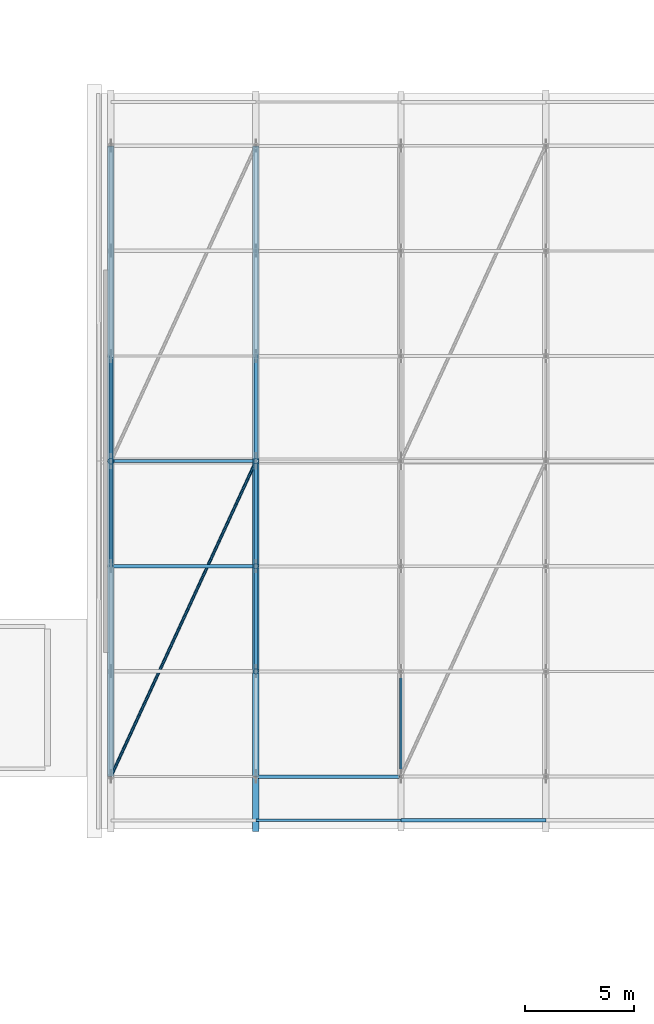
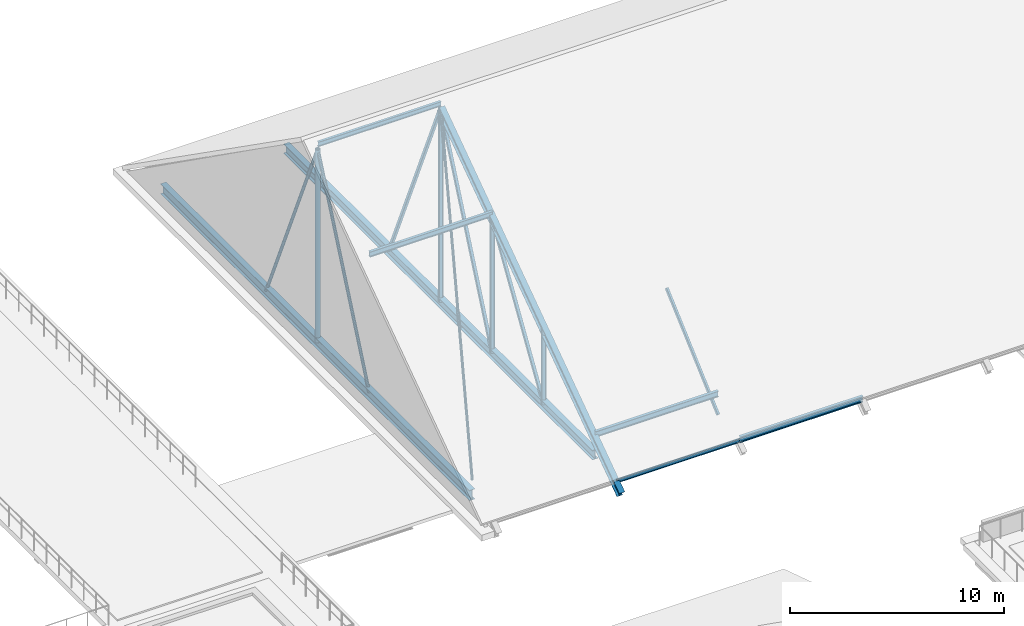
# One storey, part 50 of 134: 19 members.
"""IFC4 building model written with IfcOpenShell, lengths in metres."""

from ifc_helpers import new_model, si_unit, direction, frame, origin, origin_2d, place, context, subcontext, project, spatial, hollow_rectangle, hollow_circle, i_section, extrude, material, material_profile, profile_set, type_object, element, save


model = new_model("IFC4")

# Units and contexts
model_context = context("Model", 3, precision=1e-05, world=origin(), true_north=direction((0.0, 1.0)))
body_context = subcontext(model_context, "Body", "Model", "MODEL_VIEW")
ifc_project = project(units=[si_unit("LENGTHUNIT", "METRE"), si_unit("AREAUNIT", "SQUARE_METRE"), si_unit("VOLUMEUNIT", "CUBIC_METRE"), si_unit("PLANEANGLEUNIT", "RADIAN"), si_unit("MASSUNIT", "GRAM", prefix="KILO")], contexts=[model_context])

# Site, building, storey
site_placement = place(None, origin())
site = spatial("IfcSite", under=ifc_project, at=site_placement, CompositionType="ELEMENT")
building_placement = place(site_placement, origin())
building = spatial("IfcBuilding", under=site, at=building_placement, Name="Asteropetra Specialist Clinic", CompositionType="ELEMENT")
storey_placement = place(building_placement, frame((0.0, 0.0, 8.5)))
storey = spatial("IfcBuildingStorey", under=building, at=storey_placement, Name="L02", CompositionType="ELEMENT", Elevation=8.5)

# Members
ifc_material_1 = material(Name="Steel S355", Category="steel")
ifc_material_profile_1 = material_profile(ifc_material_1, hollow_circle(Radius=0.06982421875, WallThickness=0.008056640625, at=origin_2d()), Name="CHS 139.7x8.0")
ifc_profile_set_1 = profile_set([ifc_material_profile_1], Name="Steel S355")
member_type_1 = type_object("IfcMemberType", Name="TR-BRC-CHS139", PredefinedType="BRACE", material=ifc_profile_set_1)
member_1_placement = place(storey_placement, frame((86.89990234375, 76.800048828125, 1.3466796875), z_axis=(0.352113296071, 0.76590745054, 0.537960968787), x_axis=(-0.908582368877, 0.417705732503, 0.0)))
element("IfcMember", 1, at=member_1_placement, inside=storey, type_object=member_type_1, Name="Roof Wind Brace TRV1-RB1-01", PredefinedType="BRACE", context=body_context, shape_type="SweptSolid", body=[
    extrude(hollow_circle(Radius=0.06982421875, WallThickness=0.008056640625, at=origin_2d()), origin(), (0.0, 0.0, 1.0), 18.801025390625),
])
ifc_material_2 = material(Name="Steel S355", Category="steel")
ifc_material_profile_2 = material_profile(ifc_material_2, hollow_circle(Radius=0.084228515625, WallThickness=0.008056640625, at=origin_2d()), Name="CHS 168.3x8.0")
ifc_profile_set_2 = profile_set([ifc_material_profile_2], Name="Steel S355")
member_type_2 = type_object("IfcMemberType", Name="TR-BRC-CHS168", PredefinedType="BRACE", material=ifc_profile_set_2)
for number, where, z_axis, x_axis, name in (
    (2, (86.89990234375, 86.39990234375, 0.4951171875), (0.0, 0.400994294125, 0.916080551087), (-1.0, 0.0, 0.0), "Truss Web Diagonal TRV1-D01-2"),
    (3, (86.89990234375, 91.199951171875, 11.4609375), (0.0, 0.400994294125, -0.916080551087), (-1.0, 0.0, 0.0), "Truss Web Diagonal TRV1-D01-3"),
):
    element("IfcMember", number, at=place(storey_placement, frame(where, z_axis=z_axis, x_axis=x_axis)), inside=storey, type_object=member_type_2, Name=name, PredefinedType="BRACE", context=body_context, shape_type="SweptSolid", body=[
        extrude(hollow_circle(Radius=0.084228515625, WallThickness=0.008056640625, at=origin_2d()), origin(), (0.0, 0.0, 1.0), 11.970458984375),
    ])
ifc_material_3 = material(Name="Steel S355", Category="steel")
ifc_material_profile_3 = material_profile(ifc_material_3, hollow_rectangle(XDim=0.1201171875, YDim=0.199951171875, WallThickness=0.010009765625, InnerFilletRadius=0.008056640625, OuterFilletRadius=0.01611328125, at=origin_2d()), Name="RHS 200x120x10.0")
ifc_profile_set_3 = profile_set([ifc_material_profile_3], Name="Steel S355")
member_type_3 = type_object("IfcMemberType", Name="TR-BRC-RHS200", PredefinedType="BRACE", material=ifc_profile_set_3)
member_2_placement = place(storey_placement, frame((100.139892578125, 76.800048828125, 0.419921875), z_axis=(0.0, 0.744985578282, 0.66708057096), x_axis=(-1.0, 0.0, 0.0)))
element("IfcMember", 4, at=member_2_placement, inside=storey, type_object=member_type_3, Name="Truss Web Diagonal TRV1-D03-0", PredefinedType="BRACE", context=body_context, shape_type="SweptSolid", body=[
    extrude(hollow_rectangle(XDim=0.1201171875, YDim=0.199951171875, WallThickness=0.010009765625, InnerFilletRadius=0.008056640625, OuterFilletRadius=0.01611328125, at=origin_2d()), origin(), (0.0, 0.0, 1.0), 6.443115234375),
])
ifc_material_4 = material(Name="Steel S355", Category="steel")
ifc_material_profile_4 = material_profile(ifc_material_4, hollow_rectangle(XDim=0.159912109375, YDim=0.159912109375, WallThickness=0.008056640625, InnerFilletRadius=0.008056640625, OuterFilletRadius=0.01611328125, at=origin_2d()), Name="SHS 160x160x8.0")
ifc_profile_set_4 = profile_set([ifc_material_profile_4], Name="Steel S355")
member_type_4 = type_object("IfcMemberType", Name="TR-BRC-SHS160", PredefinedType="BRACE", material=ifc_profile_set_4)
member_3_placement = place(storey_placement, frame((93.52001953125, 81.60009765625, 0.469970703125), z_axis=(0.0, 0.532993018055, 0.846119638529), x_axis=(-1.0, 0.0, 0.0)))
element("IfcMember", 5, at=member_3_placement, inside=storey, type_object=member_type_4, Name="Truss Web Diagonal TRV1-D02-1", PredefinedType="BRACE", context=body_context, shape_type="SweptSolid", body=[
    extrude(hollow_rectangle(XDim=0.159912109375, YDim=0.159912109375, WallThickness=0.008056640625, InnerFilletRadius=0.008056640625, OuterFilletRadius=0.01611328125, at=origin_2d()), origin(), (0.0, 0.0, 1.0), 9.00537109375),
])
for number, where, z_axis, x_axis, name in (
    (6, (93.52001953125, 86.39990234375, 0.469970703125), (0.0, 0.400223947017, 0.916417367925), (-1.0, 0.0, 0.0), "Truss Web Diagonal TRV1-D02-2"),
    (7, (93.52001953125, 91.199951171875, 11.4609375), (0.0, 0.400223947017, -0.916417367925), (-1.0, 0.0, 0.0), "Truss Web Diagonal TRV1-D02-3"),
):
    element("IfcMember", number, at=place(storey_placement, frame(where, z_axis=z_axis, x_axis=x_axis)), inside=storey, type_object=member_type_4, Name=name, PredefinedType="BRACE", context=body_context, shape_type="SweptSolid", body=[
        extrude(hollow_rectangle(XDim=0.159912109375, YDim=0.159912109375, WallThickness=0.008056640625, InnerFilletRadius=0.008056640625, OuterFilletRadius=0.01611328125, at=origin_2d()), origin(), (0.0, 0.0, 1.0), 11.993408203125),
    ])
ifc_material_5 = material(Name="Steel S355", Category="steel")
ifc_material_profile_5 = material_profile(ifc_material_5, i_section(OverallWidth=0.300048828125, OverallDepth=0.389892578125, WebThickness=0.010986328125, FlangeThickness=0.01904296875, FilletRadius=0.027099609375, at=origin_2d()), Name="HEA 400")
ifc_profile_set_5 = profile_set([ifc_material_profile_5], Name="Steel S355")
member_type_5 = type_object("IfcMemberType", Name="TR-CHD-HEA400", PredefinedType="CHORD", material=ifc_profile_set_5)
member_4_placement = place(storey_placement, frame((93.52001953125, 74.39990234375, -0.339111328125), z_axis=(0.0, 0.818315202226, 0.574769718936), x_axis=(-1.0, 0.0, 0.0)))
element("IfcMember", 8, at=member_4_placement, inside=storey, type_object=member_type_5, Name="Truss South Top Chord TRV1-TCS02", PredefinedType="CHORD", context=body_context, shape_type="SweptSolid", body=[
    extrude(i_section(OverallWidth=0.300048828125, OverallDepth=0.389892578125, WebThickness=0.010986328125, FlangeThickness=0.01904296875, FilletRadius=0.027099609375, at=origin_2d()), origin(), (0.0, 0.0, 1.0), 20.530029296875),
])
ifc_material_6 = material(Name="Steel S355", Category="steel")
ifc_material_profile_6 = material_profile(ifc_material_6, i_section(OverallWidth=0.300048828125, OverallDepth=0.5400390625, WebThickness=0.012451171875, FlangeThickness=0.02392578125, FilletRadius=0.027099609375, at=origin_2d()), Name="HEA 550")
ifc_profile_set_6 = profile_set([ifc_material_profile_6], Name="Steel S355")
member_type_6 = type_object("IfcMemberType", Name="TR-CHD-HEA550", PredefinedType="CHORD", material=ifc_profile_set_6)
member_5_placement = place(storey_placement, frame((93.52001953125, 76.800048828125, 0.469970703125), z_axis=(0.0, 1.0, 0.0), x_axis=(-1.0, 0.0, 0.0)))
element("IfcMember", 9, at=member_5_placement, inside=storey, type_object=member_type_6, Name="Truss Bottom Chord TRV1-BC02", PredefinedType="CHORD", context=body_context, shape_type="SweptSolid", body=[
    extrude(i_section(OverallWidth=0.300048828125, OverallDepth=0.5400390625, WebThickness=0.012451171875, FlangeThickness=0.02392578125, FilletRadius=0.027099609375, at=origin_2d()), origin(), (0.0, 0.0, 1.0), 28.800048828125),
])
ifc_material_7 = material(Name="Steel S355", Category="steel")
ifc_material_profile_7 = material_profile(ifc_material_7, i_section(OverallWidth=0.300048828125, OverallDepth=0.590087890625, WebThickness=0.012939453125, FlangeThickness=0.02490234375, FilletRadius=0.027099609375, at=origin_2d()), Name="HEA 600")
ifc_profile_set_7 = profile_set([ifc_material_profile_7], Name="Steel S355")
member_type_7 = type_object("IfcMemberType", Name="TR-CHD-HEA600", PredefinedType="CHORD", material=ifc_profile_set_7)
member_6_placement = place(storey_placement, frame((86.89990234375, 76.800048828125, 0.4951171875), z_axis=(0.0, 1.0, 0.0), x_axis=(-1.0, 0.0, 0.0)))
element("IfcMember", 10, at=member_6_placement, inside=storey, type_object=member_type_7, Name="Truss Bottom Chord TRV1-BC01", PredefinedType="CHORD", context=body_context, shape_type="SweptSolid", body=[
    extrude(i_section(OverallWidth=0.300048828125, OverallDepth=0.590087890625, WebThickness=0.012939453125, FlangeThickness=0.02490234375, FilletRadius=0.027099609375, at=origin_2d()), origin(), (0.0, 0.0, 1.0), 28.800048828125),
])
ifc_material_8 = material(Name="Steel S355", Category="steel")
ifc_material_profile_8 = material_profile(ifc_material_8, i_section(OverallWidth=0.10009765625, OverallDepth=0.199951171875, WebThickness=0.005615234375, FlangeThickness=0.008544921875, FilletRadius=0.011962890625, at=origin_2d()), Name="IPE 200")
ifc_profile_set_8 = profile_set([ifc_material_profile_8], Name="Steel S355")
member_type_8 = type_object("IfcMemberType", Name="TR-PUR-IPE200", PredefinedType="PURLIN", material=ifc_profile_set_8)
member_7_placement = place(storey_placement, frame((93.52001953125, 74.800048828125, 0.177001953125), z_axis=(1.0, 0.0, 0.0), x_axis=(0.0, 1.0, 0.0)))
element("IfcMember", 11, at=member_7_placement, inside=storey, type_object=member_type_8, Name="Roof Purlin TRV1-P02-01", PredefinedType="PURLIN", context=body_context, shape_type="SweptSolid", body=[
    extrude(i_section(OverallWidth=0.10009765625, OverallDepth=0.199951171875, WebThickness=0.005615234375, FlangeThickness=0.008544921875, FilletRadius=0.011962890625, at=origin_2d()), origin(), (0.0, 0.0, 1.0), 6.619873046875),
])
ifc_material_9 = material(Name="Steel S355", Category="steel")
ifc_material_profile_9 = material_profile(ifc_material_9, i_section(OverallWidth=0.135009765625, OverallDepth=0.27001953125, WebThickness=0.006591796875, FlangeThickness=0.01025390625, FilletRadius=0.014892578125, at=origin_2d()), Name="IPE 270")
ifc_profile_set_9 = profile_set([ifc_material_profile_9], Name="Steel S355")
member_type_9 = type_object("IfcMemberType", Name="TR-PUR-IPE270", PredefinedType="PURLIN", material=ifc_profile_set_9)
member_8_placement = place(storey_placement, frame((86.89990234375, 91.199951171875, 11.73095703125), z_axis=(1.0, 0.0, 0.0), x_axis=(0.0, 1.0, 0.0)))
element("IfcMember", 12, at=member_8_placement, inside=storey, type_object=member_type_9, Name="Roof Purlin TRV1-P01-05", PredefinedType="PURLIN", context=body_context, shape_type="SweptSolid", body=[
    extrude(i_section(OverallWidth=0.135009765625, OverallDepth=0.27001953125, WebThickness=0.006591796875, FlangeThickness=0.01025390625, FilletRadius=0.014892578125, at=origin_2d()), origin(), (0.0, 0.0, 1.0), 6.6201171875),
])
ifc_material_10 = material(Name="Steel S355", Category="steel")
ifc_material_profile_10 = material_profile(ifc_material_10, i_section(OverallWidth=0.14990234375, OverallDepth=0.300048828125, WebThickness=0.007080078125, FlangeThickness=0.0107421875, FilletRadius=0.014892578125, at=origin_2d()), Name="IPE 300")
ifc_profile_set_10 = profile_set([ifc_material_profile_10], Name="Steel S355")
member_type_10 = type_object("IfcMemberType", Name="TR-PUR-IPE300", PredefinedType="PURLIN", material=ifc_profile_set_10)
member_9_placement = place(storey_placement, frame((86.89990234375, 86.39990234375, 8.37451171875), z_axis=(1.0, 0.0, 0.0), x_axis=(0.0, 1.0, 0.0)))
element("IfcMember", 13, at=member_9_placement, inside=storey, type_object=member_type_10, Name="Roof Purlin TRV1-P01-04", PredefinedType="PURLIN", context=body_context, shape_type="SweptSolid", body=[
    extrude(i_section(OverallWidth=0.14990234375, OverallDepth=0.300048828125, WebThickness=0.007080078125, FlangeThickness=0.0107421875, FilletRadius=0.014892578125, at=origin_2d()), origin(), (0.0, 0.0, 1.0), 6.6201171875),
])
ifc_material_11 = material(Name="Steel S355", Category="steel")
ifc_material_profile_11 = material_profile(ifc_material_11, i_section(OverallWidth=0.159912109375, OverallDepth=0.330078125, WebThickness=0.007568359375, FlangeThickness=0.011474609375, FilletRadius=0.01806640625, at=origin_2d()), Name="IPE 330")
ifc_profile_set_11 = profile_set([ifc_material_profile_11], Name="Steel S355")
member_type_11 = type_object("IfcMemberType", Name="TR-PUR-IPE330", PredefinedType="PURLIN", material=ifc_profile_set_11)
member_10_placement = place(storey_placement, frame((93.52001953125, 76.800048828125, 1.646484375), z_axis=(1.0, 0.0, 0.0), x_axis=(0.0, 1.0, 0.0)))
element("IfcMember", 14, at=member_10_placement, inside=storey, type_object=member_type_11, Name="Roof Purlin TRV1-P02-02", PredefinedType="PURLIN", context=body_context, shape_type="SweptSolid", body=[
    extrude(i_section(OverallWidth=0.159912109375, OverallDepth=0.330078125, WebThickness=0.007568359375, FlangeThickness=0.011474609375, FilletRadius=0.01806640625, at=origin_2d()), origin(), (0.0, 0.0, 1.0), 6.619873046875),
])
member_11_placement = place(storey_placement, frame((100.139892578125, 74.800048828125, 0.241943359375), z_axis=(1.0, 0.0, 0.0), x_axis=(0.0, 1.0, 0.0)))
element("IfcMember", 15, at=member_11_placement, inside=storey, type_object=member_type_11, Name="Roof Purlin TRV1-P03-01", PredefinedType="PURLIN", context=body_context, shape_type="SweptSolid", body=[
    extrude(i_section(OverallWidth=0.159912109375, OverallDepth=0.330078125, WebThickness=0.007568359375, FlangeThickness=0.011474609375, FilletRadius=0.01806640625, at=origin_2d()), origin(), (0.0, 0.0, 1.0), 6.6201171875),
])
ifc_material_12 = material(Name="Steel S355", Category="steel")
ifc_material_profile_12 = material_profile(ifc_material_12, hollow_circle(Radius=0.122314453125, WallThickness=0.012451171875, at=origin_2d()), Name="CHS 244.5x12.5")
ifc_profile_set_12 = profile_set([ifc_material_profile_12], Name="Steel S355")
member_type_12 = type_object("IfcMemberType", Name="TR-STR-CHS244", PredefinedType="STRUT", material=ifc_profile_set_12)
member_12_placement = place(storey_placement, frame((93.52001953125, 81.60009765625, 0.469970703125), z_axis=(0.0, 0.0, 1.0), x_axis=(1.0, 0.0, 0.0)))
element("IfcMember", 16, at=member_12_placement, inside=storey, type_object=member_type_12, Name="Truss Web Strut TRV1-V02-1", PredefinedType="STRUT", context=body_context, shape_type="SweptSolid", body=[
    extrude(hollow_circle(Radius=0.122314453125, WallThickness=0.012451171875, at=origin_2d()), origin(), (0.0, 0.0, 1.0), 4.248046875),
])
member_13_placement = place(storey_placement, frame((93.52001953125, 86.39990234375, 0.469970703125), z_axis=(0.0, 0.0, 1.0), x_axis=(1.0, 0.0, 0.0)))
element("IfcMember", 17, at=member_13_placement, inside=storey, type_object=member_type_12, Name="Truss Web Strut TRV1-V02-2", PredefinedType="STRUT", context=body_context, shape_type="SweptSolid", body=[
    extrude(hollow_circle(Radius=0.122314453125, WallThickness=0.012451171875, at=origin_2d()), origin(), (0.0, 0.0, 1.0), 7.61962890625),
])
member_14_placement = place(storey_placement, frame((93.52001953125, 91.199951171875, 0.469970703125), z_axis=(0.0, 0.0, 1.0), x_axis=(1.0, 0.0, 0.0)))
element("IfcMember", 18, at=member_14_placement, inside=storey, type_object=member_type_12, Name="Truss Web Strut TRV1-V02-3", PredefinedType="STRUT", context=body_context, shape_type="SweptSolid", body=[
    extrude(hollow_circle(Radius=0.122314453125, WallThickness=0.012451171875, at=origin_2d()), origin(), (0.0, 0.0, 1.0), 10.990966796875),
])
ifc_material_13 = material(Name="Steel S355", Category="steel")
ifc_material_profile_13 = material_profile(ifc_material_13, hollow_circle(Radius=0.136474609375, WallThickness=0.012451171875, at=origin_2d()), Name="CHS 273.0x12.5")
ifc_profile_set_13 = profile_set([ifc_material_profile_13], Name="Steel S355")
member_type_13 = type_object("IfcMemberType", Name="TR-STR-CHS273", PredefinedType="STRUT", material=ifc_profile_set_13)
member_15_placement = place(storey_placement, frame((86.89990234375, 91.199951171875, 0.4951171875), z_axis=(0.0, 0.0, 1.0), x_axis=(1.0, 0.0, 0.0)))
element("IfcMember", 19, at=member_15_placement, inside=storey, type_object=member_type_13, Name="Truss Web Strut TRV1-V01-3", PredefinedType="STRUT", context=body_context, shape_type="SweptSolid", body=[
    extrude(hollow_circle(Radius=0.136474609375, WallThickness=0.012451171875, at=origin_2d()), origin(), (0.0, 0.0, 1.0), 10.9658203125),
])

save(model, "model.ifc")
